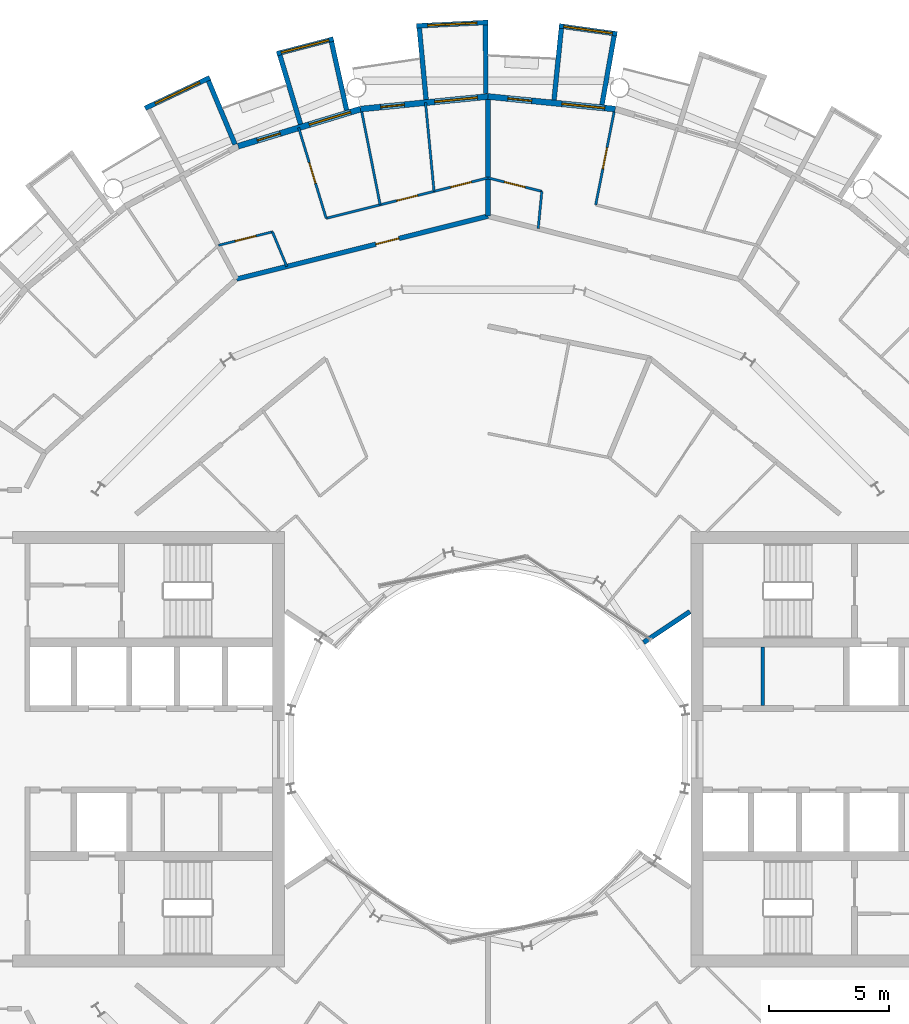
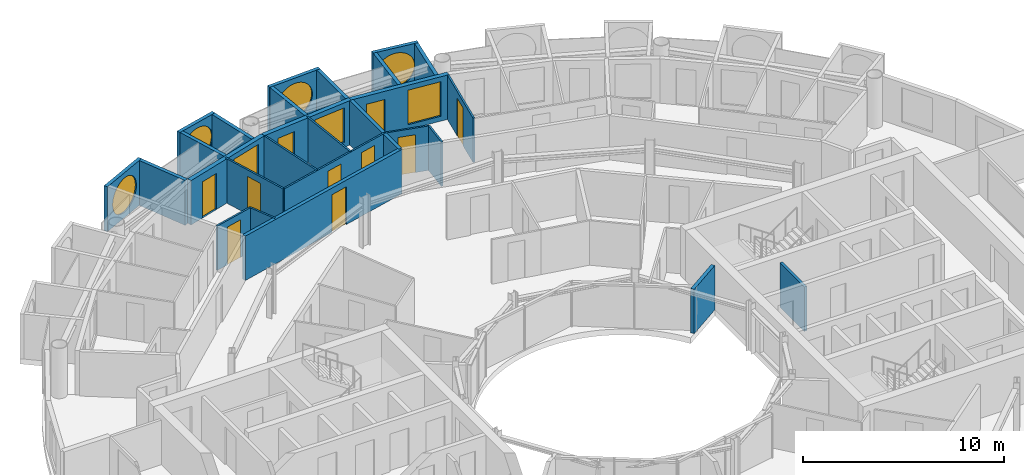
# One storey, part 21 of 26: 27 walls, 10 doors, 7 windows, 17 openings.
"""IFC4 building model written with IfcOpenShell, lengths in metres."""

from ifc_helpers import new_model, si_unit, direction, frame, frame_2d, origin, place, context, subcontext, project, spatial, rectangle, circle, extrude, material, layer, layer_set, type_object, element, fill, save


model = new_model("IFC4")

# Units and contexts
model_context = context("Model", 3, precision=1e-05, world=origin(), true_north=direction((0.0, 1.0)))
body_context = subcontext(model_context, "Body", "Model", "MODEL_VIEW")
ifc_project = project(units=[si_unit("LENGTHUNIT", "METRE"), si_unit("AREAUNIT", "SQUARE_METRE"), si_unit("VOLUMEUNIT", "CUBIC_METRE"), si_unit("PLANEANGLEUNIT", "RADIAN"), si_unit("MASSUNIT", "GRAM", prefix="KILO")], contexts=[model_context])

# Site, building, storey
site_placement = place(None, origin())
site = spatial("IfcSite", under=ifc_project, at=site_placement, CompositionType="ELEMENT")
building_placement = place(site_placement, origin())
building = spatial("IfcBuilding", under=site, at=building_placement, Name="Maasbend Ring Residences", CompositionType="ELEMENT")
storey_placement = place(building_placement, frame((0.0, 0.0, 161.60009765625)))
storey = spatial("IfcBuildingStorey", under=building, at=storey_placement, Name="L46", CompositionType="ELEMENT", Elevation=161.60009765625)

# Wall, opening, door
ifc_material_1 = material(Name="Concrete C30/37", Category="concrete")
ifc_layer_1 = layer(ifc_material_1, 0.199951171875)
ifc_layer_set_1 = layer_set([ifc_layer_1], Name="Concrete C30/37")
wall_type_1 = type_object("IfcWallType", Name="CORRIDOR WALL 200 CONCRETE", PredefinedType="PARTITIONING", material=ifc_layer_set_1)
wall_1_placement = place(storey_placement, frame((-10.511962890625, 19.6669921875, 0.0), z_axis=(0.0, 0.0, 1.0), x_axis=(0.970086843848, 0.242758141765, 0.0)))
wall_1 = element("IfcWall", 1, at=wall_1_placement, inside=storey, type_object=wall_type_1, Name="U-L46-w105", PredefinedType="PARTITIONING", context=body_context, shape_type="SweptSolid", body=[
    extrude(rectangle(XDim=10.84228515625, YDim=0.199951171875, at=frame_2d((5.421142578125, 0.0))), origin(), (0.0, 0.0, 1.0), 2.699951171875),
])
opening_1_placement = place(wall_1_placement, frame((6.001953125, 0.0, 0.0)))
opening_1 = element("IfcOpeningElement", 2, at=opening_1_placement, cuts=wall_1, Name="Opening D-4611", PredefinedType="OPENING", context=body_context, shape_type="SweptSolid", body=[
    extrude(rectangle(XDim=1.0, YDim=2.300048828125, at=frame_2d((0.5, 1.14990234375))), frame((0.0, 0.10986328125, 0.0), z_axis=(0.0, -1.0, 0.0), x_axis=(1.0, 0.0, 0.0)), (0.0, 0.0, 1.0), 0.219970703125),
])
ifc_material_2 = material(Name="Timber, fire-rated, painted", Category="wood")
door_type_1 = type_object("IfcDoorType", Name="FLAT ENTRANCE DOOR 1000 X 2300 FIRE-RATED", OperationType="NOTDEFINED", PredefinedType="DOOR", material=ifc_material_2)
door_1_placement = place(opening_1_placement, origin())
door_1 = element("IfcDoor", 3, at=door_1_placement, inside=storey, type_object=door_type_1, Name="D-4611", OperationType="SINGLE_SWING_RIGHT", OverallHeight=2.300048828125, OverallWidth=1.0, PredefinedType="DOOR", context=body_context, shape_type="SweptSolid", body=[
    extrude(rectangle(XDim=1.0, YDim=2.300048828125, at=frame_2d((0.5, 1.14990234375))), frame((0.0, 0.02490234375, 0.0), z_axis=(0.0, -1.0, 0.0), x_axis=(1.0, 0.0, 0.0)), (0.0, 0.0, 1.0), 0.050048828125),
])
fill(opening_1, door_1)

# Wall, opening, window
ifc_material_3 = material(Name="Pale anodised aluminium panel", Category="aluminium")
ifc_layer_2 = layer(ifc_material_3, 0.199951171875)
ifc_layer_set_2 = layer_set([ifc_layer_2], Name="EW-BOX")
wall_type_2 = type_object("IfcWallType", Name="EW-BOX", PredefinedType="SOLIDWALL", material=ifc_layer_set_2)
wall_2_placement = place(storey_placement, frame((5.39794921875, 29.9169921875, -0.030029296875), z_axis=(0.0, 0.0, 1.0), x_axis=(-0.990462016113, 0.137786046596, 0.0)))
wall_2 = element("IfcWall", 4, at=wall_2_placement, inside=storey, type_object=wall_type_2, Name="Box front N09", PredefinedType="SOLIDWALL", context=body_context, shape_type="SweptSolid", body=[
    extrude(rectangle(XDim=2.4453125, YDim=0.199951171875, at=frame_2d((1.22265625, 0.0))), origin(), (0.0, 0.0, 1.0), 2.72998046875),
])
opening_2_placement = place(wall_2_placement, frame((0.182861328125, 0.0, 0.330078125)))
opening_2 = element("IfcOpeningElement", 5, at=opening_2_placement, cuts=wall_2, Name="Opening W-RD", PredefinedType="OPENING", context=body_context, shape_type="SweptSolid", body=[
    extrude(circle(Radius=1.0400390625, at=frame_2d((1.0400390625, 1.0400390625))), frame((0.0, 0.10986328125, 0.0), z_axis=(0.0, -1.0, 0.0), x_axis=(1.0, 0.0, 0.0)), (0.0, 0.0, 1.0), 0.219970703125),
])
ifc_material_4 = material(Name="Aluminium and clear glass", Category="aluminium")
window_type_1 = type_object("IfcWindowType", Name="W-RD", PartitioningType="SINGLE_PANEL", PredefinedType="WINDOW", material=ifc_material_4)
window_1_placement = place(opening_2_placement, origin())
window_1 = element("IfcWindow", 6, at=window_1_placement, inside=storey, type_object=window_type_1, Name="Round window N09", OverallHeight=2.080078125, OverallWidth=2.080078125, PartitioningType="SINGLE_PANEL", PredefinedType="WINDOW", context=body_context, shape_type="SweptSolid", body=[
    extrude(circle(Radius=1.0400390625, at=frame_2d((1.0400390625, 1.0400390625))), frame((0.0, 0.030029296875, 0.0), z_axis=(0.0, -1.0, 0.0), x_axis=(1.0, 0.0, 0.0)), (0.0, 0.0, 1.0), 0.06005859375),
])
fill(opening_2, window_1)

# Walls
wall_3_placement = place(storey_placement, frame((4.76904296875, 26.9560546875, -0.030029296875), z_axis=(0.0, 0.0, 1.0), x_axis=(0.174056778901, 0.984735618183, 0.0)))
element("IfcWall", 7, at=wall_3_placement, inside=storey, type_object=wall_type_2, Name="Box side wall N09 left", PredefinedType="SOLIDWALL", context=body_context, shape_type="SweptSolid", body=[
    extrude(rectangle(XDim=2.924560546875, YDim=0.199951171875, at=frame_2d((1.46240234375, 0.0))), origin(), (0.0, 0.0, 1.0), 2.72998046875),
])
wall_4_placement = place(storey_placement, frame((2.763916015625, 27.153076171875, -0.030029296875), z_axis=(0.0, 0.0, 1.0), x_axis=(0.101505487237, 0.994834979311, 0.0)))
element("IfcWall", 8, at=wall_4_placement, inside=storey, type_object=wall_type_2, Name="Box side wall N09 right", PredefinedType="SOLIDWALL", context=body_context, shape_type="SweptSolid", body=[
    extrude(rectangle(XDim=3.006591796875, YDim=0.199951171875, at=frame_2d((1.50341796875, 0.0))), origin(), (0.0, 0.0, 1.0), 2.72998046875),
])

# Wall, opening, window
wall_5_placement = place(storey_placement, frame((0.0048828125, 30.39990234375, -0.030029296875), z_axis=(0.0, 0.0, 1.0), x_axis=(-0.998794083011, -0.049095618353, 0.0)))
wall_5 = element("IfcWall", 9, at=wall_5_placement, inside=storey, type_object=wall_type_2, Name="Box front N11", PredefinedType="SOLIDWALL", context=body_context, shape_type="SweptSolid", body=[
    extrude(rectangle(XDim=2.99365234375, YDim=0.199951171875, at=frame_2d((1.496826171875, 0.0))), origin(), (0.0, 0.0, 1.0), 2.72998046875),
])
opening_3_placement = place(wall_5_placement, frame((0.45654296875, 0.0, 0.330078125)))
opening_3 = element("IfcOpeningElement", 10, at=opening_3_placement, cuts=wall_5, Name="Opening W-RD", PredefinedType="OPENING", context=body_context, shape_type="SweptSolid", body=[
    extrude(circle(Radius=1.0400390625, at=frame_2d((1.0400390625, 1.0400390625))), frame((0.0, 0.10986328125, 0.0), z_axis=(0.0, -1.0, 0.0), x_axis=(1.0, 0.0, 0.0)), (0.0, 0.0, 1.0), 0.219970703125),
])
window_2_placement = place(opening_3_placement, origin())
window_2 = element("IfcWindow", 11, at=window_2_placement, inside=storey, type_object=window_type_1, Name="Round window N11", OverallHeight=2.080078125, OverallWidth=2.080078125, PartitioningType="SINGLE_PANEL", PredefinedType="WINDOW", context=body_context, shape_type="SweptSolid", body=[
    extrude(circle(Radius=1.0400390625, at=frame_2d((1.0400390625, 1.0400390625))), frame((0.0, 0.030029296875, 0.0), z_axis=(0.0, -1.0, 0.0), x_axis=(1.0, 0.0, 0.0)), (0.0, 0.0, 1.0), 0.06005859375),
])
fill(opening_3, window_2)

# Walls
wall_6_placement = place(storey_placement, frame((-0.090087890625, 27.4169921875, -0.030029296875), z_axis=(0.0, 0.0, 1.0), x_axis=(-0.00347308367, 0.999993968827, 0.0)))
element("IfcWall", 12, at=wall_6_placement, inside=storey, type_object=wall_type_2, Name="Box side wall N11 left", PredefinedType="SOLIDWALL", context=body_context, shape_type="SweptSolid", body=[
    extrude(rectangle(XDim=2.882080078125, YDim=0.199951171875, at=frame_2d((1.44091796875, 0.0))), origin(), (0.0, 0.0, 1.0), 2.72998046875),
])
wall_7_placement = place(storey_placement, frame((-2.5859375, 27.1708984375, -0.030029296875), z_axis=(0.0, 0.0, 1.0), x_axis=(-0.094548432284, 0.995520262954, 0.0)))
element("IfcWall", 13, at=wall_7_placement, inside=storey, type_object=wall_type_2, Name="Box side wall N11 right", PredefinedType="SOLIDWALL", context=body_context, shape_type="SweptSolid", body=[
    extrude(rectangle(XDim=3.005615234375, YDim=0.199951171875, at=frame_2d((1.5029296875, 0.0))), origin(), (0.0, 0.0, 1.0), 2.72998046875),
])

# Wall, opening, window
wall_8_placement = place(storey_placement, frame((-6.4609375, 29.705078125, -0.030029296875), z_axis=(0.0, 0.0, 1.0), x_axis=(-0.96789536872, -0.251353446784, 0.0)))
wall_8 = element("IfcWall", 14, at=wall_8_placement, inside=storey, type_object=wall_type_2, Name="Box front N13", PredefinedType="SOLIDWALL", context=body_context, shape_type="SweptSolid", body=[
    extrude(rectangle(XDim=2.44677734375, YDim=0.199951171875, at=frame_2d((1.223388671875, 0.0))), origin(), (0.0, 0.0, 1.0), 2.72998046875),
])
opening_4_placement = place(wall_8_placement, frame((0.182861328125, 0.0, 0.330078125)))
opening_4 = element("IfcOpeningElement", 15, at=opening_4_placement, cuts=wall_8, Name="Opening W-RD", PredefinedType="OPENING", context=body_context, shape_type="SweptSolid", body=[
    extrude(circle(Radius=1.0400390625, at=frame_2d((1.0400390625, 1.0400390625))), frame((0.0, 0.10986328125, 0.0), z_axis=(0.0, -1.0, 0.0), x_axis=(1.0, 0.0, 0.0)), (0.0, 0.0, 1.0), 0.219970703125),
])
window_3_placement = place(opening_4_placement, origin())
window_3 = element("IfcWindow", 16, at=window_3_placement, inside=storey, type_object=window_type_1, Name="Round window N13", OverallHeight=2.080078125, OverallWidth=2.080078125, PartitioningType="SINGLE_PANEL", PredefinedType="WINDOW", context=body_context, shape_type="SweptSolid", body=[
    extrude(circle(Radius=1.0400390625, at=frame_2d((1.0400390625, 1.0400390625))), frame((0.0, 0.030029296875, 0.0), z_axis=(0.0, -1.0, 0.0), x_axis=(1.0, 0.0, 0.0)), (0.0, 0.0, 1.0), 0.06005859375),
])
fill(opening_4, window_3)

# Walls
wall_9_placement = place(storey_placement, frame((-5.908935546875, 26.72900390625, -0.030029296875), z_axis=(0.0, 0.0, 1.0), x_axis=(-0.216409053917, 0.976302781612, 0.0)))
element("IfcWall", 17, at=wall_9_placement, inside=storey, type_object=wall_type_2, Name="Box side wall N13 left", PredefinedType="SOLIDWALL", context=body_context, shape_type="SweptSolid", body=[
    extrude(rectangle(XDim=2.92529296875, YDim=0.199951171875, at=frame_2d((1.462646484375, 0.0))), origin(), (0.0, 0.0, 1.0), 2.72998046875),
])
wall_10_placement = place(storey_placement, frame((-7.8369140625, 26.14404296875, -0.030029296875), z_axis=(0.0, 0.0, 1.0), x_axis=(-0.287064767992, 0.957911174889, 0.0)))
element("IfcWall", 18, at=wall_10_placement, inside=storey, type_object=wall_type_2, Name="Box side wall N13 right", PredefinedType="SOLIDWALL", context=body_context, shape_type="SweptSolid", body=[
    extrude(rectangle(XDim=3.00634765625, YDim=0.199951171875, at=frame_2d((1.503173828125, 0.0))), origin(), (0.0, 0.0, 1.0), 2.72998046875),
])

# Wall, opening, window
wall_11_placement = place(storey_placement, frame((-11.62890625, 28.087890625, -0.030029296875), z_axis=(0.0, 0.0, 1.0), x_axis=(-0.904000060331, -0.427532327342, 0.0)))
wall_11 = element("IfcWall", 19, at=wall_11_placement, inside=storey, type_object=wall_type_2, Name="Box front N15", PredefinedType="SOLIDWALL", context=body_context, shape_type="SweptSolid", body=[
    extrude(rectangle(XDim=2.993408203125, YDim=0.199951171875, at=frame_2d((1.49658203125, 0.0))), origin(), (0.0, 0.0, 1.0), 2.72998046875),
])
opening_5_placement = place(wall_11_placement, frame((0.45654296875, 0.0, 0.330078125)))
opening_5 = element("IfcOpeningElement", 20, at=opening_5_placement, cuts=wall_11, Name="Opening W-RD", PredefinedType="OPENING", context=body_context, shape_type="SweptSolid", body=[
    extrude(circle(Radius=1.0400390625, at=frame_2d((1.0400390625, 1.0400390625))), frame((0.0, 0.10986328125, 0.0), z_axis=(0.0, -1.0, 0.0), x_axis=(1.0, 0.0, 0.0)), (0.0, 0.0, 1.0), 0.219970703125),
])
window_4_placement = place(opening_5_placement, origin())
window_4 = element("IfcWindow", 21, at=window_4_placement, inside=storey, type_object=window_type_1, Name="Round window N15", OverallHeight=2.080078125, OverallWidth=2.080078125, PartitioningType="SINGLE_PANEL", PredefinedType="WINDOW", context=body_context, shape_type="SweptSolid", body=[
    extrude(circle(Radius=1.0400390625, at=frame_2d((1.0400390625, 1.0400390625))), frame((0.0, 0.030029296875, 0.0), z_axis=(0.0, -1.0, 0.0), x_axis=(1.0, 0.0, 0.0)), (0.0, 0.0, 1.0), 0.06005859375),
])
fill(opening_5, window_4)

# Wall
wall_12_placement = place(storey_placement, frame((-10.574951171875, 25.294921875, -0.030029296875), z_axis=(0.0, 0.0, 1.0), x_axis=(-0.385697364644, 0.922625353492, 0.0)))
element("IfcWall", 22, at=wall_12_placement, inside=storey, type_object=wall_type_2, Name="Box side wall N15 left", PredefinedType="SOLIDWALL", context=body_context, shape_type="SweptSolid", body=[
    extrude(rectangle(XDim=2.88330078125, YDim=0.199951171875, at=frame_2d((1.441650390625, 0.0))), origin(), (0.0, 0.0, 1.0), 2.72998046875),
])

# Wall, openings, door, window
ifc_material_5 = material(Name="Aluminium clad insulated panel", Category="aluminium")
ifc_layer_3 = layer(ifc_material_5, 0.25)
ifc_layer_set_3 = layer_set([ifc_layer_3], Name="EW-GL")
wall_type_3 = type_object("IfcWallType", Name="EW-GL", PredefinedType="SOLIDWALL", material=ifc_layer_set_3)
wall_13_placement = place(storey_placement, frame((5.325927734375, 26.77490234375, 0.0), z_axis=(0.0, 0.0, 1.0), x_axis=(-0.995173996315, 0.098126026407, 0.0)))
wall_13 = element("IfcWall", 23, at=wall_13_placement, inside=storey, type_object=wall_type_3, Name="External wall N05", PredefinedType="SOLIDWALL", context=body_context, shape_type="SweptSolid", body=[
    extrude(rectangle(XDim=5.351806640625, YDim=0.25, at=frame_2d((2.67578125, 0.0))), origin(), (0.0, 0.0, 1.0), 2.699951171875),
])
opening_6_placement = place(wall_13_placement, frame((0.441162109375, 0.0, 0.300048828125)))
opening_6 = element("IfcOpeningElement", 24, at=opening_6_placement, cuts=wall_13, Name="Opening W-BX", PredefinedType="OPENING", context=body_context, shape_type="SweptSolid", body=[
    extrude(rectangle(XDim=1.800048828125, YDim=2.10009765625, at=frame_2d((0.89990234375, 1.050048828125))), frame((0.0, 0.135009765625, 0.0), z_axis=(0.0, -1.0, 0.0), x_axis=(1.0, 0.0, 0.0)), (0.0, 0.0, 1.0), 0.27001953125),
])
opening_7_placement = place(wall_13_placement, frame((3.510498046875, 0.0, 0.0)))
opening_7 = element("IfcOpeningElement", 25, at=opening_7_placement, cuts=wall_13, Name="Opening D-LG", PredefinedType="OPENING", context=body_context, shape_type="SweptSolid", body=[
    extrude(rectangle(XDim=1.0, YDim=2.199951171875, at=frame_2d((0.5, 1.10009765625))), frame((0.0, 0.135009765625, 0.0), z_axis=(0.0, -1.0, 0.0), x_axis=(1.0, 0.0, 0.0)), (0.0, 0.0, 1.0), 0.27001953125),
])
ifc_material_6 = material(Name="Aluminium and clear glass", Category="aluminium")
door_type_2 = type_object("IfcDoorType", Name="D-LG", OperationType="SINGLE_SWING_LEFT", PredefinedType="DOOR", material=ifc_material_6)
door_2_placement = place(opening_7_placement, origin())
door_2 = element("IfcDoor", 26, at=door_2_placement, inside=storey, type_object=door_type_2, Name="Loggia door N10", OperationType="SINGLE_SWING_LEFT", OverallHeight=2.199951171875, OverallWidth=1.0, PredefinedType="DOOR", context=body_context, shape_type="SweptSolid", body=[
    extrude(rectangle(XDim=1.0, YDim=2.199951171875, at=frame_2d((0.5, 1.10009765625))), frame((0.0, 0.02490234375, 0.0), z_axis=(0.0, -1.0, 0.0), x_axis=(1.0, 0.0, 0.0)), (0.0, 0.0, 1.0), 0.050048828125),
])
fill(opening_7, door_2)
ifc_material_7 = material(Name="Aluminium and clear glass", Category="aluminium")
window_type_2 = type_object("IfcWindowType", Name="W-BX", PartitioningType="DOUBLE_PANEL_VERTICAL", PredefinedType="WINDOW", material=ifc_material_7)
window_5_placement = place(opening_6_placement, origin())
window_5 = element("IfcWindow", 27, at=window_5_placement, inside=storey, type_object=window_type_2, Name="Window N09 room to box", OverallHeight=2.10009765625, OverallWidth=1.800048828125, PartitioningType="SINGLE_PANEL", PredefinedType="WINDOW", context=body_context, shape_type="SweptSolid", body=[
    extrude(rectangle(XDim=1.800048828125, YDim=2.10009765625, at=frame_2d((0.89990234375, 1.050048828125))), frame((0.0, 0.030029296875, 0.0), z_axis=(0.0, -1.0, 0.0), x_axis=(1.0, 0.0, 0.0)), (0.0, 0.0, 1.0), 0.06005859375),
])
fill(opening_6, window_5)

wall_14_placement = place(storey_placement, frame((0.0, 27.300048828125, 0.0), z_axis=(0.0, 0.0, 1.0), x_axis=(-0.995173996315, -0.098126026407, 0.0)))
wall_14 = element("IfcWall", 28, at=wall_14_placement, inside=storey, type_object=wall_type_3, Name="External wall N06", PredefinedType="SOLIDWALL", context=body_context, shape_type="SweptSolid", body=[
    extrude(rectangle(XDim=5.351806640625, YDim=0.25, at=frame_2d((2.67578125, 0.0))), origin(), (0.0, 0.0, 1.0), 2.699951171875),
])
opening_8_placement = place(wall_14_placement, frame((0.441162109375, 0.0, 0.300048828125)))
opening_8 = element("IfcOpeningElement", 29, at=opening_8_placement, cuts=wall_14, Name="Opening W-BX", PredefinedType="OPENING", context=body_context, shape_type="SweptSolid", body=[
    extrude(rectangle(XDim=1.800048828125, YDim=2.10009765625, at=frame_2d((0.89990234375, 1.050048828125))), frame((0.0, 0.135009765625, 0.0), z_axis=(0.0, -1.0, 0.0), x_axis=(1.0, 0.0, 0.0)), (0.0, 0.0, 1.0), 0.27001953125),
])
opening_9_placement = place(wall_14_placement, frame((3.510498046875, 0.0, 0.0)))
opening_9 = element("IfcOpeningElement", 30, at=opening_9_placement, cuts=wall_14, Name="Opening D-LG", PredefinedType="OPENING", context=body_context, shape_type="SweptSolid", body=[
    extrude(rectangle(XDim=1.0, YDim=2.199951171875, at=frame_2d((0.5, 1.10009765625))), frame((0.0, 0.135009765625, 0.0), z_axis=(0.0, -1.0, 0.0), x_axis=(1.0, 0.0, 0.0)), (0.0, 0.0, 1.0), 0.27001953125),
])
door_3_placement = place(opening_9_placement, origin())
door_3 = element("IfcDoor", 31, at=door_3_placement, inside=storey, type_object=door_type_2, Name="Loggia door N12", OperationType="SINGLE_SWING_LEFT", OverallHeight=2.199951171875, OverallWidth=1.0, PredefinedType="DOOR", context=body_context, shape_type="SweptSolid", body=[
    extrude(rectangle(XDim=1.0, YDim=2.199951171875, at=frame_2d((0.5, 1.10009765625))), frame((0.0, 0.02490234375, 0.0), z_axis=(0.0, -1.0, 0.0), x_axis=(1.0, 0.0, 0.0)), (0.0, 0.0, 1.0), 0.050048828125),
])
fill(opening_9, door_3)
window_6_placement = place(opening_8_placement, origin())
window_6 = element("IfcWindow", 32, at=window_6_placement, inside=storey, type_object=window_type_2, Name="Window N11 room to box", OverallHeight=2.10009765625, OverallWidth=1.800048828125, PartitioningType="SINGLE_PANEL", PredefinedType="WINDOW", context=body_context, shape_type="SweptSolid", body=[
    extrude(rectangle(XDim=1.800048828125, YDim=2.10009765625, at=frame_2d((0.89990234375, 1.050048828125))), frame((0.0, 0.030029296875, 0.0), z_axis=(0.0, -1.0, 0.0), x_axis=(1.0, 0.0, 0.0)), (0.0, 0.0, 1.0), 0.06005859375),
])
fill(opening_8, window_6)

wall_15_placement = place(storey_placement, frame((-5.325927734375, 26.77490234375, 0.0), z_axis=(0.0, 0.0, 1.0), x_axis=(-0.956965678721, -0.290201119486, 0.0)))
wall_15 = element("IfcWall", 33, at=wall_15_placement, inside=storey, type_object=wall_type_3, Name="External wall N07", PredefinedType="SOLIDWALL", context=body_context, shape_type="SweptSolid", body=[
    extrude(rectangle(XDim=5.351318359375, YDim=0.25, at=frame_2d((2.67578125, 0.0))), origin(), (0.0, 0.0, 1.0), 2.699951171875),
])
opening_10_placement = place(wall_15_placement, frame((0.441162109375, 0.0, 0.300048828125)))
opening_10 = element("IfcOpeningElement", 34, at=opening_10_placement, cuts=wall_15, Name="Opening W-BX", PredefinedType="OPENING", context=body_context, shape_type="SweptSolid", body=[
    extrude(rectangle(XDim=1.800048828125, YDim=2.10009765625, at=frame_2d((0.89990234375, 1.050048828125))), frame((0.0, 0.135009765625, 0.0), z_axis=(0.0, -1.0, 0.0), x_axis=(1.0, 0.0, 0.0)), (0.0, 0.0, 1.0), 0.27001953125),
])
opening_11_placement = place(wall_15_placement, frame((3.510498046875, 0.0, 0.0)))
opening_11 = element("IfcOpeningElement", 35, at=opening_11_placement, cuts=wall_15, Name="Opening D-LG", PredefinedType="OPENING", context=body_context, shape_type="SweptSolid", body=[
    extrude(rectangle(XDim=1.0, YDim=2.199951171875, at=frame_2d((0.5, 1.10009765625))), frame((0.0, 0.135009765625, 0.0), z_axis=(0.0, -1.0, 0.0), x_axis=(1.0, 0.0, 0.0)), (0.0, 0.0, 1.0), 0.27001953125),
])
door_4_placement = place(opening_11_placement, origin())
door_4 = element("IfcDoor", 36, at=door_4_placement, inside=storey, type_object=door_type_2, Name="Loggia door N14", OperationType="SINGLE_SWING_LEFT", OverallHeight=2.199951171875, OverallWidth=1.0, PredefinedType="DOOR", context=body_context, shape_type="SweptSolid", body=[
    extrude(rectangle(XDim=1.0, YDim=2.199951171875, at=frame_2d((0.5, 1.10009765625))), frame((0.0, 0.02490234375, 0.0), z_axis=(0.0, -1.0, 0.0), x_axis=(1.0, 0.0, 0.0)), (0.0, 0.0, 1.0), 0.050048828125),
])
fill(opening_11, door_4)
window_7_placement = place(opening_10_placement, origin())
window_7 = element("IfcWindow", 37, at=window_7_placement, inside=storey, type_object=window_type_2, Name="Window N13 room to box", OverallHeight=2.10009765625, OverallWidth=1.800048828125, PartitioningType="SINGLE_PANEL", PredefinedType="WINDOW", context=body_context, shape_type="SweptSolid", body=[
    extrude(rectangle(XDim=1.800048828125, YDim=2.10009765625, at=frame_2d((0.89990234375, 1.050048828125))), frame((0.0, 0.030029296875, 0.0), z_axis=(0.0, -1.0, 0.0), x_axis=(1.0, 0.0, 0.0)), (0.0, 0.0, 1.0), 0.06005859375),
])
fill(opening_10, window_7)

# Wall
ifc_material_8 = material(Name="Gypsum board on steel studs", Category="steel")
ifc_layer_4 = layer(ifc_material_8, 0.10009765625)
ifc_layer_set_4 = layer_set([ifc_layer_4], Name="PARTITION 100 GYPSUM")
wall_type_4 = type_object("IfcWallType", Name="PARTITION 100 GYPSUM", PredefinedType="PARTITIONING", material=ifc_layer_set_4)
wall_16_placement = place(storey_placement, frame((-9.012939453125, 21.64208984375, 0.0), z_axis=(0.0, 0.0, 1.0), x_axis=(0.384228756538, -0.923237923099, 0.0)))
element("IfcWall", 38, at=wall_16_placement, inside=storey, type_object=wall_type_4, Name="U-L46-w031", PredefinedType="PARTITIONING", context=body_context, shape_type="SweptSolid", body=[
    extrude(rectangle(XDim=1.5693359375, YDim=0.10009765625, at=frame_2d((0.78466796875, 0.0))), origin(), (0.0, 0.0, 1.0), 2.699951171875),
])

# Wall, opening, door
wall_17_placement = place(storey_placement, frame((-7.9169921875, 25.99609375, 0.0), z_axis=(0.0, 0.0, 1.0), x_axis=(0.291291575636, -0.956634317785, 0.0)))
wall_17 = element("IfcWall", 39, at=wall_17_placement, inside=storey, type_object=wall_type_4, Name="U-L46-w051", PredefinedType="PARTITIONING", context=body_context, shape_type="SweptSolid", body=[
    extrude(rectangle(XDim=3.9619140625, YDim=0.10009765625, at=frame_2d((1.98095703125, 0.0))), origin(), (0.0, 0.0, 1.0), 2.699951171875),
])
opening_12_placement = place(wall_17_placement, frame((1.531005859375, 0.0, 0.0)))
opening_12 = element("IfcOpeningElement", 40, at=opening_12_placement, cuts=wall_17, Name="Opening D-4613", PredefinedType="OPENING", context=body_context, shape_type="SweptSolid", body=[
    extrude(rectangle(XDim=0.89990234375, YDim=2.300048828125, at=frame_2d((0.449951171875, 1.14990234375))), frame((0.0, 0.06005859375, 0.0), z_axis=(0.0, -1.0, 0.0), x_axis=(1.0, 0.0, 0.0)), (0.0, 0.0, 1.0), 0.1201171875),
])
ifc_material_9 = material(Name="Timber, painted", Category="wood")
door_type_3 = type_object("IfcDoorType", Name="INTERNAL DOOR 900 X 2300", OperationType="NOTDEFINED", PredefinedType="DOOR", material=ifc_material_9)
door_5_placement = place(opening_12_placement, origin())
door_5 = element("IfcDoor", 41, at=door_5_placement, inside=storey, type_object=door_type_3, Name="D-4613", OperationType="SINGLE_SWING_LEFT", OverallHeight=2.300048828125, OverallWidth=0.89990234375, PredefinedType="DOOR", context=body_context, shape_type="SweptSolid", body=[
    extrude(rectangle(XDim=0.89990234375, YDim=2.300048828125, at=frame_2d((0.449951171875, 1.14990234375))), frame((0.0, 0.02490234375, 0.0), z_axis=(0.0, -1.0, 0.0), x_axis=(1.0, 0.0, 0.0)), (0.0, 0.0, 1.0), 0.050048828125),
])
fill(opening_12, door_5)

# Walls
wall_18_placement = place(storey_placement, frame((-5.27587890625, 26.657958984375, 0.0), z_axis=(0.0, 0.0, 1.0), x_axis=(0.194030211642, -0.980995554001, 0.0)))
element("IfcWall", 42, at=wall_18_placement, inside=storey, type_object=wall_type_4, Name="U-L46-w054", PredefinedType="PARTITIONING", context=body_context, shape_type="SweptSolid", body=[
    extrude(rectangle(XDim=3.962158203125, YDim=0.10009765625, at=frame_2d((1.98095703125, 0.0))), origin(), (0.0, 0.0, 1.0), 2.699951171875),
])
wall_19_placement = place(storey_placement, frame((-2.612060546875, 27.049072265625, 0.0), z_axis=(0.0, 0.0, 1.0), x_axis=(0.09626981452, -0.995355274669, 0.0)))
element("IfcWall", 43, at=wall_19_placement, inside=storey, type_object=wall_type_4, Name="U-L46-w058", PredefinedType="PARTITIONING", context=body_context, shape_type="SweptSolid", body=[
    extrude(rectangle(XDim=3.73046875, YDim=0.10009765625, at=frame_2d((1.865234375, 0.0))), origin(), (0.0, 0.0, 1.0), 2.699951171875),
])
wall_20_placement = place(storey_placement, frame((2.10205078125, 21.77294921875, 0.0), z_axis=(0.0, 0.0, 1.0), x_axis=(0.09608568494, 0.995373066317, 0.0)))
element("IfcWall", 44, at=wall_20_placement, inside=storey, type_object=wall_type_4, Name="U-L46-w062", PredefinedType="PARTITIONING", context=body_context, shape_type="SweptSolid", body=[
    extrude(rectangle(XDim=1.5703125, YDim=0.10009765625, at=frame_2d((0.78515625, 0.0))), origin(), (0.0, 0.0, 1.0), 2.699951171875),
])

# Wall, opening, door
wall_21_placement = place(storey_placement, frame((4.507080078125, 22.77099609375, 0.0), z_axis=(0.0, 0.0, 1.0), x_axis=(0.194030211642, 0.980995554001, 0.0)))
wall_21 = element("IfcWall", 45, at=wall_21_placement, inside=storey, type_object=wall_type_4, Name="U-L46-w067", PredefinedType="PARTITIONING", context=body_context, shape_type="SweptSolid", body=[
    extrude(rectangle(XDim=3.962158203125, YDim=0.10009765625, at=frame_2d((1.98095703125, 0.0))), origin(), (0.0, 0.0, 1.0), 2.699951171875),
])
opening_13_placement = place(wall_21_placement, frame((1.531005859375, 0.0, 0.0)))
opening_13 = element("IfcOpeningElement", 46, at=opening_13_placement, cuts=wall_21, Name="Opening D-4608", PredefinedType="OPENING", context=body_context, shape_type="SweptSolid", body=[
    extrude(rectangle(XDim=0.89990234375, YDim=2.300048828125, at=frame_2d((0.449951171875, 1.14990234375))), frame((0.0, 0.06005859375, 0.0), z_axis=(0.0, -1.0, 0.0), x_axis=(1.0, 0.0, 0.0)), (0.0, 0.0, 1.0), 0.1201171875),
])
door_6_placement = place(opening_13_placement, origin())
door_6 = element("IfcDoor", 47, at=door_6_placement, inside=storey, type_object=door_type_3, Name="D-4608", OperationType="SINGLE_SWING_RIGHT", OverallHeight=2.300048828125, OverallWidth=0.89990234375, PredefinedType="DOOR", context=body_context, shape_type="SweptSolid", body=[
    extrude(rectangle(XDim=0.89990234375, YDim=2.300048828125, at=frame_2d((0.449951171875, 1.14990234375))), frame((0.0, 0.02490234375, 0.0), z_axis=(0.0, -1.0, 0.0), x_axis=(1.0, 0.0, 0.0)), (0.0, 0.0, 1.0), 0.050048828125),
])
fill(opening_13, door_6)

wall_22_placement = place(storey_placement, frame((-11.26611328125, 21.077880859375, 0.0), z_axis=(0.0, 0.0, 1.0), x_axis=(0.970074595874, 0.242807080706, 0.0)))
wall_22 = element("IfcWall", 48, at=wall_22_placement, inside=storey, type_object=wall_type_4, Name="U-L46-w114", PredefinedType="PARTITIONING", context=body_context, shape_type="SweptSolid", body=[
    extrude(rectangle(XDim=2.32763671875, YDim=0.10009765625, at=frame_2d((1.163818359375, 0.0))), origin(), (0.0, 0.0, 1.0), 2.699951171875),
])
opening_14_placement = place(wall_22_placement, frame((0.714111328125, 0.0, 0.0)))
opening_14 = element("IfcOpeningElement", 49, at=opening_14_placement, cuts=wall_22, Name="Opening D-4612", PredefinedType="OPENING", context=body_context, shape_type="SweptSolid", body=[
    extrude(rectangle(XDim=0.89990234375, YDim=2.300048828125, at=frame_2d((0.449951171875, 1.14990234375))), frame((0.0, 0.06005859375, 0.0), z_axis=(0.0, -1.0, 0.0), x_axis=(1.0, 0.0, 0.0)), (0.0, 0.0, 1.0), 0.1201171875),
])
door_7_placement = place(opening_14_placement, origin())
door_7 = element("IfcDoor", 50, at=door_7_placement, inside=storey, type_object=door_type_3, Name="D-4612", OperationType="SINGLE_SWING_RIGHT", OverallHeight=2.300048828125, OverallWidth=0.89990234375, PredefinedType="DOOR", context=body_context, shape_type="SweptSolid", body=[
    extrude(rectangle(XDim=0.89990234375, YDim=2.300048828125, at=frame_2d((0.449951171875, 1.14990234375))), frame((0.0, 0.02490234375, 0.0), z_axis=(0.0, -1.0, 0.0), x_axis=(1.0, 0.0, 0.0)), (0.0, 0.0, 1.0), 0.050048828125),
])
fill(opening_14, door_7)

# Wall, openings, doors
wall_23_placement = place(storey_placement, frame((-6.760009765625, 22.2060546875, 0.0), z_axis=(0.0, 0.0, 1.0), x_axis=(0.970070358667, 0.242824008772, 0.0)))
wall_23 = element("IfcWall", 51, at=wall_23_placement, inside=storey, type_object=wall_type_4, Name="U-L46-w115", PredefinedType="PARTITIONING", context=body_context, shape_type="SweptSolid", body=[
    extrude(rectangle(XDim=6.9716796875, YDim=0.10009765625, at=frame_2d((3.48583984375, 0.0))), origin(), (0.0, 0.0, 1.0), 2.699951171875),
])
opening_15_placement = place(wall_23_placement, frame((3.037109375, 0.0, 0.0)))
opening_15 = element("IfcOpeningElement", 52, at=opening_15_placement, cuts=wall_23, Name="Opening D-4614", PredefinedType="OPENING", context=body_context, shape_type="SweptSolid", body=[
    extrude(rectangle(XDim=0.89990234375, YDim=2.300048828125, at=frame_2d((0.449951171875, 1.14990234375))), frame((0.0, 0.06005859375, 0.0), z_axis=(0.0, -1.0, 0.0), x_axis=(1.0, 0.0, 0.0)), (0.0, 0.0, 1.0), 0.1201171875),
])
opening_16_placement = place(wall_23_placement, frame((5.35693359375, 0.0, 0.0)))
opening_16 = element("IfcOpeningElement", 53, at=opening_16_placement, cuts=wall_23, Name="Opening D-4615", PredefinedType="OPENING", context=body_context, shape_type="SweptSolid", body=[
    extrude(rectangle(XDim=0.89990234375, YDim=2.300048828125, at=frame_2d((0.449951171875, 1.14990234375))), frame((0.0, 0.06005859375, 0.0), z_axis=(0.0, -1.0, 0.0), x_axis=(1.0, 0.0, 0.0)), (0.0, 0.0, 1.0), 0.1201171875),
])
door_8_placement = place(opening_15_placement, origin())
door_8 = element("IfcDoor", 54, at=door_8_placement, inside=storey, type_object=door_type_3, Name="D-4614", OperationType="SINGLE_SWING_RIGHT", OverallHeight=2.300048828125, OverallWidth=0.89990234375, PredefinedType="DOOR", context=body_context, shape_type="SweptSolid", body=[
    extrude(rectangle(XDim=0.89990234375, YDim=2.300048828125, at=frame_2d((0.449951171875, 1.14990234375))), frame((0.0, 0.02490234375, 0.0), z_axis=(0.0, -1.0, 0.0), x_axis=(1.0, 0.0, 0.0)), (0.0, 0.0, 1.0), 0.050048828125),
])
fill(opening_15, door_8)
door_9_placement = place(opening_16_placement, origin())
door_9 = element("IfcDoor", 55, at=door_9_placement, inside=storey, type_object=door_type_3, Name="D-4615", OperationType="SINGLE_SWING_RIGHT", OverallHeight=2.300048828125, OverallWidth=0.89990234375, PredefinedType="DOOR", context=body_context, shape_type="SweptSolid", body=[
    extrude(rectangle(XDim=0.89990234375, YDim=2.300048828125, at=frame_2d((0.449951171875, 1.14990234375))), frame((0.0, 0.02490234375, 0.0), z_axis=(0.0, -1.0, 0.0), x_axis=(1.0, 0.0, 0.0)), (0.0, 0.0, 1.0), 0.050048828125),
])
fill(opening_16, door_9)

# Wall, opening, door
wall_24_placement = place(storey_placement, frame((0.0029296875, 23.89892578125, 0.0), z_axis=(0.0, 0.0, 1.0), x_axis=(0.970074448647, -0.242807668911, 0.0)))
wall_24 = element("IfcWall", 56, at=wall_24_placement, inside=storey, type_object=wall_type_4, Name="U-L46-w116", PredefinedType="PARTITIONING", context=body_context, shape_type="SweptSolid", body=[
    extrude(rectangle(XDim=2.32275390625, YDim=0.10009765625, at=frame_2d((1.161376953125, 0.0))), origin(), (0.0, 0.0, 1.0), 2.699951171875),
])
opening_17_placement = place(wall_24_placement, frame((0.7080078125, 0.0, 0.0)))
opening_17 = element("IfcOpeningElement", 57, at=opening_17_placement, cuts=wall_24, Name="Opening D-4607", PredefinedType="OPENING", context=body_context, shape_type="SweptSolid", body=[
    extrude(rectangle(XDim=0.89990234375, YDim=2.300048828125, at=frame_2d((0.449951171875, 1.14990234375))), frame((0.0, 0.06005859375, 0.0), z_axis=(0.0, -1.0, 0.0), x_axis=(1.0, 0.0, 0.0)), (0.0, 0.0, 1.0), 0.1201171875),
])
door_10_placement = place(opening_17_placement, origin())
door_10 = element("IfcDoor", 58, at=door_10_placement, inside=storey, type_object=door_type_3, Name="D-4607", OperationType="SINGLE_SWING_LEFT", OverallHeight=2.300048828125, OverallWidth=0.89990234375, PredefinedType="DOOR", context=body_context, shape_type="SweptSolid", body=[
    extrude(rectangle(XDim=0.89990234375, YDim=2.300048828125, at=frame_2d((0.449951171875, 1.14990234375))), frame((0.0, 0.02490234375, 0.0), z_axis=(0.0, -1.0, 0.0), x_axis=(1.0, 0.0, 0.0)), (0.0, 0.0, 1.0), 0.050048828125),
])
fill(opening_17, door_10)

# Walls
ifc_material_10 = material(Name="Gypsum board on steel studs", Category="steel")
ifc_layer_5 = layer(ifc_material_10, 0.14990234375)
ifc_layer_set_5 = layer_set([ifc_layer_5], Name="PARTITION 150 EI 60")
wall_type_5 = type_object("IfcWallType", Name="PARTITION 150 EI 60", PredefinedType="PARTITIONING", material=ifc_layer_set_5)
wall_25_placement = place(storey_placement, frame((11.5, 1.824951171875, 0.0), z_axis=(0.0, 0.0, 1.0), x_axis=(0.0, 1.0, 0.0)))
element("IfcWall", 59, at=wall_25_placement, inside=storey, type_object=wall_type_5, Name="L46 core E wall PRN1150", PredefinedType="PARTITIONING", context=body_context, shape_type="SweptSolid", body=[
    extrude(rectangle(XDim=2.449951171875, YDim=0.14990234375, at=frame_2d((1.22509765625, 0.0))), origin(), (0.0, 0.0, 1.0), 2.699951171875),
])
ifc_material_11 = material(Name="Concrete C30/37", Category="concrete")
ifc_layer_6 = layer(ifc_material_11, 0.199951171875)
ifc_layer_set_6 = layer_set([ifc_layer_6], Name="Concrete C30/37")
wall_type_6 = type_object("IfcWallType", Name="PARTY WALL 200 CONCRETE", PredefinedType="PARTITIONING", material=ifc_layer_set_6)
wall_26_placement = place(storey_placement, frame((0.0, 22.300048828125, 0.0), z_axis=(0.0, 0.0, 1.0), x_axis=(0.0, 1.0, 0.0)))
element("IfcWall", 60, at=wall_26_placement, inside=storey, type_object=wall_type_6, Name="U-L46-w061", PredefinedType="PARTITIONING", context=body_context, shape_type="SweptSolid", body=[
    extrude(rectangle(XDim=4.875, YDim=0.199951171875, at=frame_2d((2.4375, 0.0))), origin(), (0.0, 0.0, 1.0), 2.699951171875),
])
wall_27_placement = place(storey_placement, frame((6.512939453125, 4.471923828125, 0.0), z_axis=(0.0, 0.0, 1.0), x_axis=(0.83133816625, 0.555766905579, 0.0)))
element("IfcWall", 61, at=wall_27_placement, inside=storey, type_object=wall_type_6, Name="U-L46-w093", PredefinedType="PARTITIONING", context=body_context, shape_type="SweptSolid", body=[
    extrude(rectangle(XDim=2.322998046875, YDim=0.199951171875, at=frame_2d((1.16162109375, 0.0))), origin(), (0.0, 0.0, 1.0), 2.699951171875),
])

save(model, "model.ifc")
